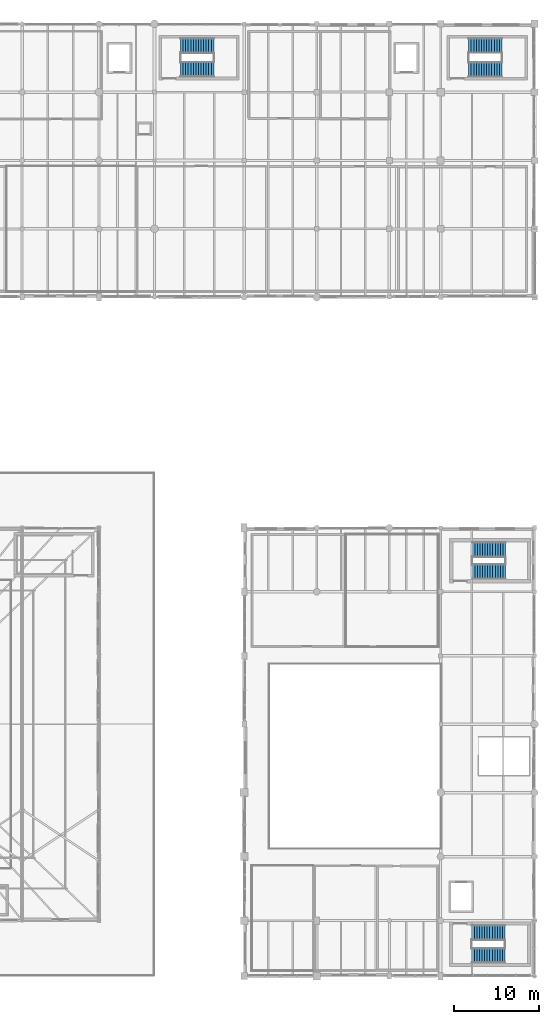
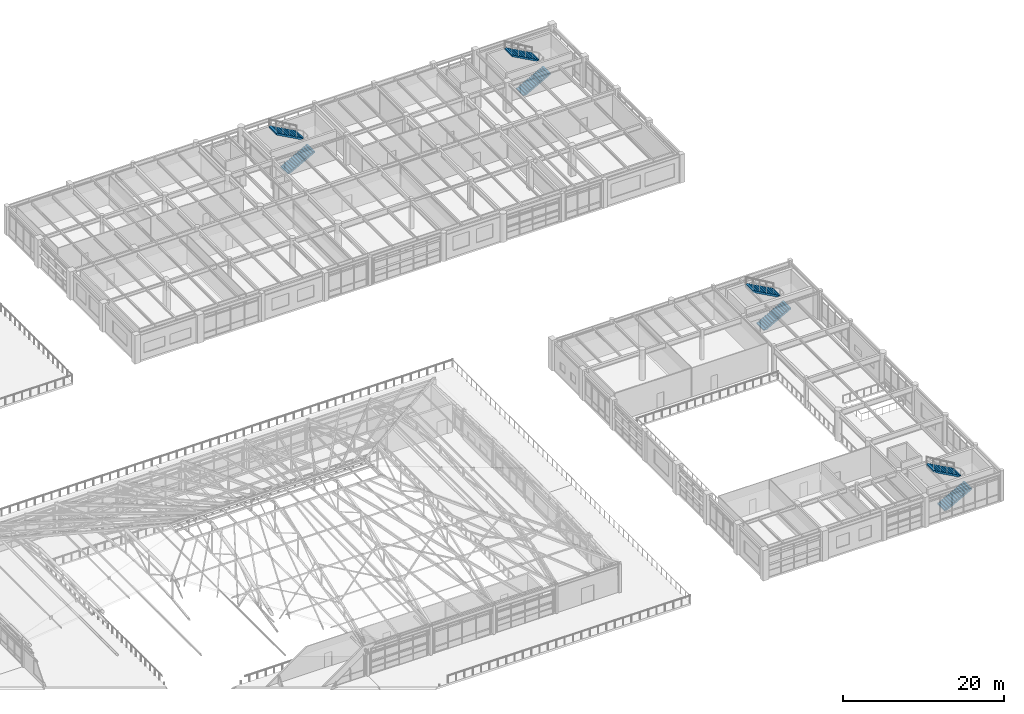
# One storey, part 158 of 168: 8 stair flights, 4 elements without a shape of their own.
"""IFC4 building model written with IfcOpenShell, lengths in metres."""

from ifc_helpers import new_model, si_unit, direction, frame, origin, place, context, subcontext, project, spatial, polyline, outline, extrude, material, layer, layer_set, type_object, element, aggregate, save


model = new_model("IFC4")

# Units and contexts
model_context = context("Model", 3, precision=1e-05, world=origin(), true_north=direction((0.0, 1.0)))
body_context = subcontext(model_context, "Body", "Model", "MODEL_VIEW")
ifc_project = project(units=[si_unit("LENGTHUNIT", "METRE"), si_unit("AREAUNIT", "SQUARE_METRE"), si_unit("VOLUMEUNIT", "CUBIC_METRE"), si_unit("PLANEANGLEUNIT", "RADIAN"), si_unit("MASSUNIT", "GRAM", prefix="KILO"), si_unit("THERMODYNAMICTEMPERATUREUNIT", "KELVIN"), si_unit("POWERUNIT", "WATT")], contexts=[model_context])

# Site, building, storey
site_placement = place(None, origin())
site = spatial("IfcSite", under=ifc_project, at=site_placement, CompositionType="ELEMENT")
building_placement = place(site_placement, origin())
building = spatial("IfcBuilding", under=site, at=building_placement, Name="Tepalcoro Natatorium and Aquatics Centre", CompositionType="ELEMENT")
storey_placement = place(building_placement, frame((0.0, 0.0, 10.199951171875)))
storey = spatial("IfcBuildingStorey", under=building, at=storey_placement, Name="L02", CompositionType="ELEMENT", Elevation=10.199951171875)

# Stair, stair flights
ifc_material = material(Name="Concrete C35/45 (fc 35 MPa)", Category="concrete")
stair_type_1 = type_object("IfcStairType", Name="ST_RC_1800_B1", PredefinedType="HALF_TURN_STAIR", material=ifc_material)
stair_1_placement = place(storey_placement, origin())
stair_1 = element("IfcStair", 1, at=stair_1_placement, inside=storey, type_object=stair_type_1, Name="Diving Wing South Fire Stair (L02 to L03)", PredefinedType="HALF_TURN_STAIR")
ifc_layer_1 = layer(ifc_material, 0.2099609375)
ifc_layer_set_1 = layer_set([ifc_layer_1], Name="Concrete C35/45 (fc 35 MPa)")
stair_flight_type_1 = type_object("IfcStairFlightType", Name="SF_RC_1800_L00", PredefinedType="STRAIGHT", material=ifc_layer_set_1)
stair_flight_1_placement = place(storey_placement, frame((168.64990234375, 8.889892578125, 0.0), z_axis=(0.0, 0.0, 1.0), x_axis=(1.0, 0.0, 0.0)))
stair_flight_1 = element("IfcStairFlight", 2, at=stair_flight_1_placement, type_object=stair_flight_type_1, Name="Diving Wing South Fire Stair (L02 to L03) Flight 1", NumberOfRisers=14, NumberOfTreads=13, PredefinedType="STRAIGHT", RiserHeight=0.164286, TreadLength=0.3, context=body_context, shape_type="SweptSolid", body=[
    extrude(outline(polyline([(0.0, 0.0), (0.0, 0.164306640625), (0.300048828125, 0.164306640625), (0.300048828125, 0.32861328125), (0.60009765625, 0.32861328125), (0.60009765625, 0.492919921875), (0.89990234375, 0.492919921875), (0.89990234375, 0.6572265625), (1.199951171875, 0.6572265625), (1.199951171875, 0.821533203125), (1.5, 0.821533203125), (1.5, 0.985595703125), (1.800048828125, 0.985595703125), (1.800048828125, 1.14990234375), (2.10009765625, 1.14990234375), (2.10009765625, 1.314208984375), (2.39990234375, 1.314208984375), (2.39990234375, 1.478515625), (2.699951171875, 1.478515625), (2.699951171875, 1.642822265625), (3.0, 1.642822265625), (3.0, 1.80712890625), (3.300048828125, 1.80712890625), (3.300048828125, 1.971435546875), (3.60009765625, 1.971435546875), (3.60009765625, 2.1357421875), (3.89990234375, 2.1357421875), (3.89990234375, 2.300048828125), (3.89990234375, 1.896240234375), (0.43701171875, 0.0), (0.0, 0.0)])), frame((0.0, 0.89990234375, 0.0), z_axis=(0.0, -1.0, 0.0), x_axis=(1.0, 0.0, 0.0)), (0.0, 0.0, 1.0), 1.800048828125),
])
stair_flight_2_placement = place(storey_placement, frame((172.550048828125, 11.610107421875, 2.300048828125), z_axis=(0.0, 0.0, 1.0), x_axis=(-1.0, 0.0, 0.0)))
stair_flight_2 = element("IfcStairFlight", 3, at=stair_flight_2_placement, type_object=stair_flight_type_1, Name="Diving Wing South Fire Stair (L02 to L03) Flight 2", NumberOfRisers=14, NumberOfTreads=13, PredefinedType="STRAIGHT", RiserHeight=0.164286, TreadLength=0.3, context=body_context, shape_type="SweptSolid", body=[
    extrude(outline(polyline([(0.0, 0.0), (0.0, 0.164306640625), (0.300048828125, 0.164306640625), (0.300048828125, 0.32861328125), (0.60009765625, 0.32861328125), (0.60009765625, 0.492919921875), (0.89990234375, 0.492919921875), (0.89990234375, 0.6572265625), (1.199951171875, 0.6572265625), (1.199951171875, 0.821533203125), (1.5, 0.821533203125), (1.5, 0.985595703125), (1.800048828125, 0.985595703125), (1.800048828125, 1.14990234375), (2.10009765625, 1.14990234375), (2.10009765625, 1.314208984375), (2.39990234375, 1.314208984375), (2.39990234375, 1.478515625), (2.699951171875, 1.478515625), (2.699951171875, 1.642822265625), (3.0, 1.642822265625), (3.0, 1.80712890625), (3.300048828125, 1.80712890625), (3.300048828125, 1.971435546875), (3.60009765625, 1.971435546875), (3.60009765625, 2.1357421875), (3.89990234375, 2.1357421875), (3.89990234375, 2.300048828125), (3.89990234375, 1.896240234375), (0.43701171875, 0.0), (0.0, 0.0)])), frame((0.0, 0.89990234375, 0.0), z_axis=(0.0, -1.0, 0.0), x_axis=(1.0, 0.0, 0.0)), (0.0, 0.0, 1.0), 1.800048828125),
])
aggregate(stair_1, [stair_flight_1, stair_flight_2])

stair_type_2 = type_object("IfcStairType", Name="ST_RC_1800_L00", PredefinedType="HALF_TURN_STAIR", material=ifc_material)
stair_2_placement = place(storey_placement, origin())
stair_2 = element("IfcStair", 4, at=stair_2_placement, inside=storey, type_object=stair_type_2, Name="Diving Wing North Fire Stair (L02 to L03)", PredefinedType="HALF_TURN_STAIR")
ifc_layer_2 = layer(ifc_material, 0.219970703125)
ifc_layer_set_2 = layer_set([ifc_layer_2], Name="Concrete C35/45 (fc 35 MPa)")
stair_flight_type_2 = type_object("IfcStairFlightType", Name="SF_RC_1800_L01", PredefinedType="STRAIGHT", material=ifc_layer_set_2)
stair_flight_3_placement = place(storey_placement, frame((168.699951171875, 53.840087890625, 0.0), z_axis=(0.0, 0.0, 1.0), x_axis=(1.0, 0.0, 0.0)))
stair_flight_3 = element("IfcStairFlight", 5, at=stair_flight_3_placement, type_object=stair_flight_type_2, Name="Diving Wing North Fire Stair (L02 to L03) Flight 1", NumberOfRisers=14, NumberOfTreads=13, PredefinedType="STRAIGHT", RiserHeight=0.164286, TreadLength=0.3, context=body_context, shape_type="SweptSolid", body=[
    extrude(outline(polyline([(0.0, 0.0), (0.0, 0.164306640625), (0.300048828125, 0.164306640625), (0.300048828125, 0.32861328125), (0.60009765625, 0.32861328125), (0.60009765625, 0.492919921875), (0.89990234375, 0.492919921875), (0.89990234375, 0.6572265625), (1.199951171875, 0.6572265625), (1.199951171875, 0.821533203125), (1.5, 0.821533203125), (1.5, 0.985595703125), (1.800048828125, 0.985595703125), (1.800048828125, 1.14990234375), (2.10009765625, 1.14990234375), (2.10009765625, 1.314208984375), (2.39990234375, 1.314208984375), (2.39990234375, 1.478515625), (2.699951171875, 1.478515625), (2.699951171875, 1.642822265625), (3.0, 1.642822265625), (3.0, 1.80712890625), (3.300048828125, 1.80712890625), (3.300048828125, 1.971435546875), (3.60009765625, 1.971435546875), (3.60009765625, 2.1357421875), (3.89990234375, 2.1357421875), (3.89990234375, 2.300048828125), (3.89990234375, 1.885009765625), (0.4580078125, 0.0), (0.0, 0.0)])), frame((0.0, 0.89990234375, 0.0), z_axis=(0.0, -1.0, 0.0), x_axis=(1.0, 0.0, 0.0)), (0.0, 0.0, 1.0), 1.800048828125),
])
stair_flight_4_placement = place(storey_placement, frame((172.60009765625, 56.4599609375, 2.300048828125), z_axis=(0.0, 0.0, 1.0), x_axis=(-1.0, 0.0, 0.0)))
stair_flight_4 = element("IfcStairFlight", 6, at=stair_flight_4_placement, type_object=stair_flight_type_2, Name="Diving Wing North Fire Stair (L02 to L03) Flight 2", NumberOfRisers=14, NumberOfTreads=13, PredefinedType="STRAIGHT", RiserHeight=0.164286, TreadLength=0.3, context=body_context, shape_type="SweptSolid", body=[
    extrude(outline(polyline([(0.0, 0.0), (0.0, 0.164306640625), (0.300048828125, 0.164306640625), (0.300048828125, 0.32861328125), (0.60009765625, 0.32861328125), (0.60009765625, 0.492919921875), (0.89990234375, 0.492919921875), (0.89990234375, 0.6572265625), (1.199951171875, 0.6572265625), (1.199951171875, 0.821533203125), (1.5, 0.821533203125), (1.5, 0.985595703125), (1.800048828125, 0.985595703125), (1.800048828125, 1.14990234375), (2.10009765625, 1.14990234375), (2.10009765625, 1.314208984375), (2.39990234375, 1.314208984375), (2.39990234375, 1.478515625), (2.699951171875, 1.478515625), (2.699951171875, 1.642822265625), (3.0, 1.642822265625), (3.0, 1.80712890625), (3.300048828125, 1.80712890625), (3.300048828125, 1.971435546875), (3.60009765625, 1.971435546875), (3.60009765625, 2.1357421875), (3.89990234375, 2.1357421875), (3.89990234375, 2.300048828125), (3.89990234375, 1.885009765625), (0.4580078125, 0.0), (0.0, 0.0)])), frame((0.0, 0.89990234375, 0.0), z_axis=(0.0, -1.0, 0.0), x_axis=(1.0, 0.0, 0.0)), (0.0, 0.0, 1.0), 1.800048828125),
])
aggregate(stair_2, [stair_flight_3, stair_flight_4])

stair_3_placement = place(storey_placement, origin())
stair_3 = element("IfcStair", 7, at=stair_3_placement, inside=storey, type_object=stair_type_1, Name="Wellness & Broadcast West Fire Stair (L02 to L03)", PredefinedType="HALF_TURN_STAIR")
stair_flight_5_placement = place(storey_placement, frame((134.550048828125, 112.639892578125, 0.0), z_axis=(0.0, 0.0, 1.0), x_axis=(1.0, 0.0, 0.0)))
stair_flight_5 = element("IfcStairFlight", 8, at=stair_flight_5_placement, type_object=stair_flight_type_2, Name="Wellness & Broadcast West Fire Stair (L02 to L03) Flight 1", NumberOfRisers=14, NumberOfTreads=13, PredefinedType="STRAIGHT", RiserHeight=0.164286, TreadLength=0.3, context=body_context, shape_type="SweptSolid", body=[
    extrude(outline(polyline([(0.0, 0.0), (0.0, 0.164306640625), (0.300048828125, 0.164306640625), (0.300048828125, 0.32861328125), (0.60009765625, 0.32861328125), (0.60009765625, 0.492919921875), (0.89990234375, 0.492919921875), (0.89990234375, 0.6572265625), (1.199951171875, 0.6572265625), (1.199951171875, 0.821533203125), (1.5, 0.821533203125), (1.5, 0.985595703125), (1.800048828125, 0.985595703125), (1.800048828125, 1.14990234375), (2.10009765625, 1.14990234375), (2.10009765625, 1.314208984375), (2.39990234375, 1.314208984375), (2.39990234375, 1.478515625), (2.699951171875, 1.478515625), (2.699951171875, 1.642822265625), (3.0, 1.642822265625), (3.0, 1.80712890625), (3.300048828125, 1.80712890625), (3.300048828125, 1.971435546875), (3.60009765625, 1.971435546875), (3.60009765625, 2.1357421875), (3.89990234375, 2.1357421875), (3.89990234375, 2.300048828125), (3.89990234375, 1.885009765625), (0.4580078125, 0.0), (0.0, 0.0)])), frame((0.0, 0.89990234375, 0.0), z_axis=(0.0, -1.0, 0.0), x_axis=(1.0, 0.0, 0.0)), (0.0, 0.0, 1.0), 1.800048828125),
])
stair_flight_6_placement = place(storey_placement, frame((138.449951171875, 115.4599609375, 2.300048828125), z_axis=(0.0, 0.0, 1.0), x_axis=(-1.0, 0.0, 0.0)))
stair_flight_6 = element("IfcStairFlight", 9, at=stair_flight_6_placement, type_object=stair_flight_type_2, Name="Wellness & Broadcast West Fire Stair (L02 to L03) Flight 2", NumberOfRisers=14, NumberOfTreads=13, PredefinedType="STRAIGHT", RiserHeight=0.164286, TreadLength=0.3, context=body_context, shape_type="SweptSolid", body=[
    extrude(outline(polyline([(0.0, 0.0), (0.0, 0.164306640625), (0.300048828125, 0.164306640625), (0.300048828125, 0.32861328125), (0.60009765625, 0.32861328125), (0.60009765625, 0.492919921875), (0.89990234375, 0.492919921875), (0.89990234375, 0.6572265625), (1.199951171875, 0.6572265625), (1.199951171875, 0.821533203125), (1.5, 0.821533203125), (1.5, 0.985595703125), (1.800048828125, 0.985595703125), (1.800048828125, 1.14990234375), (2.10009765625, 1.14990234375), (2.10009765625, 1.314208984375), (2.39990234375, 1.314208984375), (2.39990234375, 1.478515625), (2.699951171875, 1.478515625), (2.699951171875, 1.642822265625), (3.0, 1.642822265625), (3.0, 1.80712890625), (3.300048828125, 1.80712890625), (3.300048828125, 1.971435546875), (3.60009765625, 1.971435546875), (3.60009765625, 2.1357421875), (3.89990234375, 2.1357421875), (3.89990234375, 2.300048828125), (3.89990234375, 1.885009765625), (0.4580078125, 0.0), (0.0, 0.0)])), frame((0.0, 0.89990234375, 0.0), z_axis=(0.0, -1.0, 0.0), x_axis=(1.0, 0.0, 0.0)), (0.0, 0.0, 1.0), 1.800048828125),
])
aggregate(stair_3, [stair_flight_5, stair_flight_6])

stair_4_placement = place(storey_placement, origin())
stair_4 = element("IfcStair", 10, at=stair_4_placement, inside=storey, type_object=stair_type_2, Name="Wellness & Broadcast East Fire Stair (L02 to L03)", PredefinedType="HALF_TURN_STAIR")
ifc_layer_3 = layer(ifc_material, 0.18994140625)
ifc_layer_set_3 = layer_set([ifc_layer_3], Name="Concrete C35/45 (fc 35 MPa)")
stair_flight_type_3 = type_object("IfcStairFlightType", Name="SF_RC_1800_L02", PredefinedType="STRAIGHT", material=ifc_layer_set_3)
stair_flight_7_placement = place(storey_placement, frame((168.280029296875, 112.6201171875, 0.0), z_axis=(0.0, 0.0, 1.0), x_axis=(1.0, 0.0, 0.0)))
stair_flight_7 = element("IfcStairFlight", 11, at=stair_flight_7_placement, type_object=stair_flight_type_3, Name="Wellness & Broadcast East Fire Stair (L02 to L03) Flight 1", NumberOfRisers=14, NumberOfTreads=13, PredefinedType="STRAIGHT", RiserHeight=0.164286, TreadLength=0.3, context=body_context, shape_type="SweptSolid", body=[
    extrude(outline(polyline([(0.0, 0.0), (0.0, 0.164306640625), (0.300048828125, 0.164306640625), (0.300048828125, 0.32861328125), (0.60009765625, 0.32861328125), (0.60009765625, 0.492919921875), (0.89990234375, 0.492919921875), (0.89990234375, 0.6572265625), (1.199951171875, 0.6572265625), (1.199951171875, 0.821533203125), (1.5, 0.821533203125), (1.5, 0.985595703125), (1.800048828125, 0.985595703125), (1.800048828125, 1.14990234375), (2.10009765625, 1.14990234375), (2.10009765625, 1.314208984375), (2.39990234375, 1.314208984375), (2.39990234375, 1.478515625), (2.699951171875, 1.478515625), (2.699951171875, 1.642822265625), (3.0, 1.642822265625), (3.0, 1.80712890625), (3.300048828125, 1.80712890625), (3.300048828125, 1.971435546875), (3.60009765625, 1.971435546875), (3.60009765625, 2.1357421875), (3.89990234375, 2.1357421875), (3.89990234375, 2.300048828125), (3.89990234375, 1.919189453125), (0.3955078125, 0.0), (0.0, 0.0)])), frame((0.0, 0.89990234375, 0.0), z_axis=(0.0, -1.0, 0.0), x_axis=(1.0, 0.0, 0.0)), (0.0, 0.0, 1.0), 1.800048828125),
])
stair_flight_8_placement = place(storey_placement, frame((172.179931640625, 115.47998046875, 2.300048828125), z_axis=(0.0, 0.0, 1.0), x_axis=(-1.0, 0.0, 0.0)))
stair_flight_8 = element("IfcStairFlight", 12, at=stair_flight_8_placement, type_object=stair_flight_type_3, Name="Wellness & Broadcast East Fire Stair (L02 to L03) Flight 2", NumberOfRisers=14, NumberOfTreads=13, PredefinedType="STRAIGHT", RiserHeight=0.164286, TreadLength=0.3, context=body_context, shape_type="SweptSolid", body=[
    extrude(outline(polyline([(0.0, 0.0), (0.0, 0.164306640625), (0.300048828125, 0.164306640625), (0.300048828125, 0.32861328125), (0.60009765625, 0.32861328125), (0.60009765625, 0.492919921875), (0.89990234375, 0.492919921875), (0.89990234375, 0.6572265625), (1.199951171875, 0.6572265625), (1.199951171875, 0.821533203125), (1.5, 0.821533203125), (1.5, 0.985595703125), (1.800048828125, 0.985595703125), (1.800048828125, 1.14990234375), (2.10009765625, 1.14990234375), (2.10009765625, 1.314208984375), (2.39990234375, 1.314208984375), (2.39990234375, 1.478515625), (2.699951171875, 1.478515625), (2.699951171875, 1.642822265625), (3.0, 1.642822265625), (3.0, 1.80712890625), (3.300048828125, 1.80712890625), (3.300048828125, 1.971435546875), (3.60009765625, 1.971435546875), (3.60009765625, 2.1357421875), (3.89990234375, 2.1357421875), (3.89990234375, 2.300048828125), (3.89990234375, 1.919189453125), (0.3955078125, 0.0), (0.0, 0.0)])), frame((0.0, 0.89990234375, 0.0), z_axis=(0.0, -1.0, 0.0), x_axis=(1.0, 0.0, 0.0)), (0.0, 0.0, 1.0), 1.800048828125),
])
aggregate(stair_4, [stair_flight_7, stair_flight_8])

save(model, "model.ifc")
